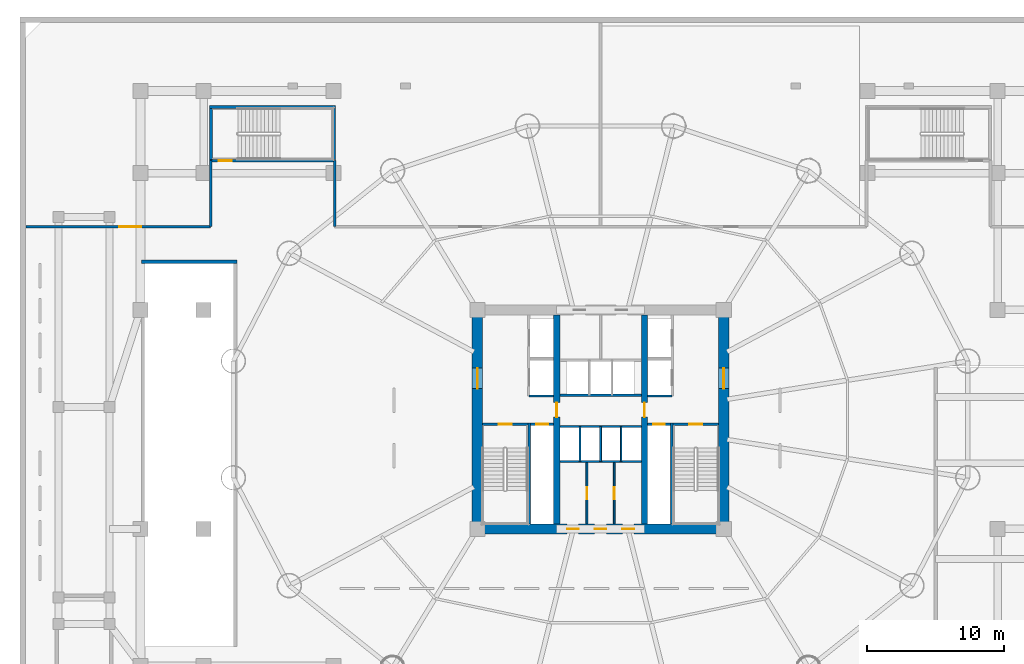
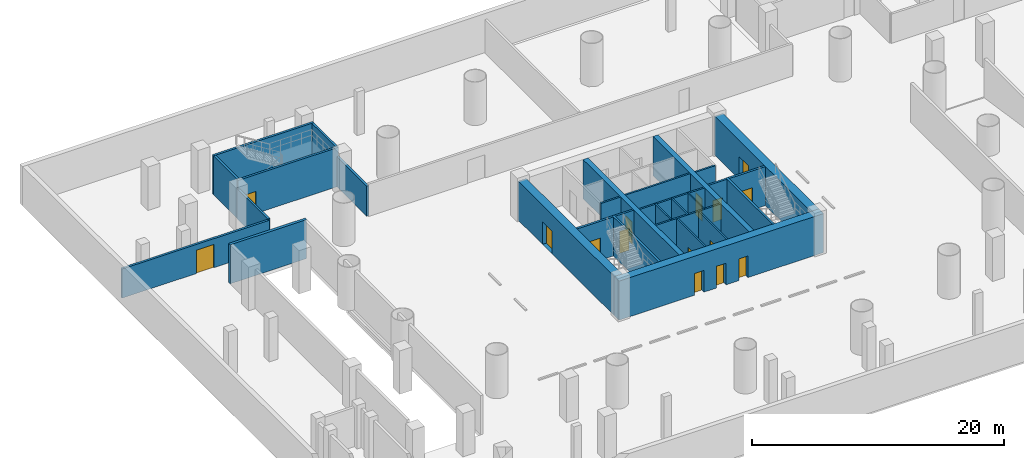
# One storey, part 4 of 11: 29 walls, 15 doors, 15 openings.
"""IFC4 building model written with IfcOpenShell, lengths in metres."""

from ifc_helpers import new_model, si_unit, direction, frame, frame_2d, origin, place, context, subcontext, project, spatial, rectangle, extrude, source, transform, mapped, material, layer, layer_set, type_object, element, fill, save


model = new_model("IFC4")

# Units and contexts
model_context = context("Model", 3, precision=1e-05, world=origin(), true_north=direction((-0.2419218956, 0.970295726276)))
body_context = subcontext(model_context, "Body", "Model", "MODEL_VIEW")
ifc_project = project(units=[si_unit("LENGTHUNIT", "METRE"), si_unit("AREAUNIT", "SQUARE_METRE"), si_unit("VOLUMEUNIT", "CUBIC_METRE"), si_unit("PLANEANGLEUNIT", "RADIAN"), si_unit("MASSUNIT", "GRAM", prefix="KILO")], contexts=[model_context])

# Site, building, storey
site_placement = place(None, origin())
site = spatial("IfcSite", under=ifc_project, at=site_placement, CompositionType="ELEMENT")
building_placement = place(site_placement, origin())
building = spatial("IfcBuilding", under=site, at=building_placement, Name="Cobrevalo Terracotta Tower", CompositionType="ELEMENT")
storey_placement = place(building_placement, frame((0.0, 0.0, -4.199951171875)))
storey = spatial("IfcBuildingStorey", under=building, at=storey_placement, Name="B01", CompositionType="ELEMENT", Elevation=-4.199951171875)

# Wall, openings, doors
ifc_material_1 = material(Name="Concrete C60", Category="concrete")
ifc_layer_1 = layer(ifc_material_1, 0.75)
ifc_layer_set_1 = layer_set([ifc_layer_1], Name="Concrete C60")
wall_type_1 = type_object("IfcWallType", Name="Core shear wall 750 mm Concrete C60", PredefinedType="SHEAR", material=ifc_layer_set_1)
wall_1_placement = place(storey_placement, frame((28.625, 18.800048828125, 0.0), z_axis=(0.0, 0.0, 1.0), x_axis=(1.0, 0.0, 0.0)))
wall_1 = element("IfcWall", 1, at=wall_1_placement, inside=storey, type_object=wall_type_1, Name="B01 south core shear wall", PredefinedType="SHEAR", context=body_context, shape_type="SweptSolid", body=[
    extrude(rectangle(XDim=18.75, YDim=0.75, at=frame_2d((9.375, 0.0))), origin(), (0.0, 0.0, 1.0), 3.780029296875),
])
opening_1_placement = place(wall_1_placement, frame((6.927490234375, 0.0, 0.0)))
opening_1 = element("IfcOpeningElement", 2, at=opening_1_placement, cuts=wall_1, Name="Opening ID-22", PredefinedType="OPENING", context=body_context, shape_type="SweptSolid", body=[
    extrude(rectangle(XDim=0.85009765625, YDim=2.10009765625, at=frame_2d((0.425048828125, 1.050048828125))), frame((0.0, 0.385009765625, 0.0), z_axis=(0.0, -1.0, 0.0), x_axis=(1.0, 0.0, 0.0)), (0.0, 0.0, 1.0), 0.77001953125),
])
opening_2_placement = place(wall_1_placement, frame((8.949951171875, 0.0, 0.0)))
opening_2 = element("IfcOpeningElement", 3, at=opening_2_placement, cuts=wall_1, Name="Opening ID-22", PredefinedType="OPENING", context=body_context, shape_type="SweptSolid", body=[
    extrude(rectangle(XDim=0.85009765625, YDim=2.10009765625, at=frame_2d((0.425048828125, 1.050048828125))), frame((0.0, 0.385009765625, 0.0), z_axis=(0.0, -1.0, 0.0), x_axis=(1.0, 0.0, 0.0)), (0.0, 0.0, 1.0), 0.77001953125),
])
opening_3_placement = place(wall_1_placement, frame((10.972412109375, 0.0, 0.0)))
opening_3 = element("IfcOpeningElement", 4, at=opening_3_placement, cuts=wall_1, Name="Opening ID-22", PredefinedType="OPENING", context=body_context, shape_type="SweptSolid", body=[
    extrude(rectangle(XDim=0.85009765625, YDim=2.10009765625, at=frame_2d((0.425048828125, 1.050048828125))), frame((0.0, 0.385009765625, 0.0), z_axis=(0.0, -1.0, 0.0), x_axis=(1.0, 0.0, 0.0)), (0.0, 0.0, 1.0), 0.77001953125),
])
ifc_material_2 = material(Name="Powder-coated steel", Category="steel")
door_type_1 = type_object("IfcDoorType", Name="Riser shaft & meter closet fire access door 850x2100 EI 60", OperationType="NOTDEFINED", PredefinedType="DOOR", material=ifc_material_2)
shared_shape_1 = source(origin(), body_context, "Body", "SweptSolid", [
    extrude(rectangle(XDim=0.85009765625, YDim=2.10009765625, at=frame_2d((0.425048828125, 1.050048828125))), frame((0.0, 0.02490234375, 0.0), z_axis=(0.0, -1.0, 0.0), x_axis=(1.0, 0.0, 0.0)), (0.0, 0.0, 1.0), 0.050048828125),
])
door_1_placement = place(opening_1_placement, origin())
door_1 = element("IfcDoor", 5, at=door_1_placement, inside=storey, type_object=door_type_1, Name="B01 core south plant door HVAC Supply Air Plant", OperationType="SINGLE_SWING_RIGHT", OverallHeight=2.10009765625, OverallWidth=0.85009765625, PredefinedType="DOOR", context=body_context, shape_type="MappedRepresentation", body=[
    mapped(shared_shape_1, transform((0.0, 0.0, 0.0), scale=1.0)),
])
fill(opening_1, door_1)
door_2_placement = place(opening_2_placement, origin())
door_2 = element("IfcDoor", 6, at=door_2_placement, inside=storey, type_object=door_type_1, Name="B01 core south plant door Refuse Chute Store Room", OperationType="SINGLE_SWING_RIGHT", OverallHeight=2.10009765625, OverallWidth=0.85009765625, PredefinedType="DOOR", context=body_context, shape_type="MappedRepresentation", body=[
    mapped(shared_shape_1, transform((0.0, 0.0, 0.0), scale=1.0)),
])
fill(opening_2, door_2)
door_3_placement = place(opening_3_placement, origin())
door_3 = element("IfcDoor", 7, at=door_3_placement, inside=storey, type_object=door_type_1, Name="B01 core south plant door Hydronic Pump Manifold Plant", OperationType="SINGLE_SWING_RIGHT", OverallHeight=2.10009765625, OverallWidth=0.85009765625, PredefinedType="DOOR", context=body_context, shape_type="MappedRepresentation", body=[
    mapped(shared_shape_1, transform((0.0, 0.0, 0.0), scale=1.0)),
])
fill(opening_3, door_3)

# Wall, opening, door
wall_2_placement = place(storey_placement, frame((29.0, 19.175048828125, 0.0), z_axis=(0.0, 0.0, 1.0), x_axis=(0.0, 1.0, 0.0)))
wall_2 = element("IfcWall", 8, at=wall_2_placement, inside=storey, type_object=wall_type_1, Name="B01 west core shear wall", PredefinedType="SHEAR", context=body_context, shape_type="SweptSolid", body=[
    extrude(rectangle(XDim=15.25, YDim=0.75, at=frame_2d((7.625, 0.0))), origin(), (0.0, 0.0, 1.0), 3.780029296875),
])
opening_4_placement = place(wall_2_placement, frame((9.875, 0.0, 0.0)))
opening_4 = element("IfcOpeningElement", 9, at=opening_4_placement, cuts=wall_2, Name="Opening ID-14", PredefinedType="OPENING", context=body_context, shape_type="SweptSolid", body=[
    extrude(rectangle(XDim=1.5, YDim=2.199951171875, at=frame_2d((0.75, 1.10009765625))), frame((0.0, 0.385009765625, 0.0), z_axis=(0.0, -1.0, 0.0), x_axis=(1.0, 0.0, 0.0)), (0.0, 0.0, 1.0), 0.77001953125),
])
ifc_material_3 = material(Name="Galvanized fire-rated steel", Category="steel")
door_type_2 = type_object("IfcDoorType", Name="Core cross-lobby double fire door 1500x2200 EI 90", OperationType="NOTDEFINED", PredefinedType="DOOR", material=ifc_material_3)
shared_shape_2 = source(origin(), body_context, "Body", "SweptSolid", [
    extrude(rectangle(XDim=1.5, YDim=2.199951171875, at=frame_2d((0.75, 1.10009765625))), frame((0.0, 0.02490234375, 0.0), z_axis=(0.0, -1.0, 0.0), x_axis=(1.0, 0.0, 0.0)), (0.0, 0.0, 1.0), 0.050048828125),
])
door_4_placement = place(opening_4_placement, origin())
door_4 = element("IfcDoor", 10, at=door_4_placement, inside=storey, type_object=door_type_2, Name="B01 west firefighting lobby entrance door", OperationType="DOUBLE_DOOR_SINGLE_SWING", OverallHeight=2.199951171875, OverallWidth=1.5, PredefinedType="DOOR", context=body_context, shape_type="MappedRepresentation", body=[
    mapped(shared_shape_2, transform((0.0, 0.0, 0.0), scale=1.0)),
])
fill(opening_4, door_4)

wall_3_placement = place(storey_placement, frame((47.0, 19.175048828125, 0.0), z_axis=(0.0, 0.0, 1.0), x_axis=(0.0, 1.0, 0.0)))
wall_3 = element("IfcWall", 11, at=wall_3_placement, inside=storey, type_object=wall_type_1, Name="B01 east core shear wall", PredefinedType="SHEAR", context=body_context, shape_type="SweptSolid", body=[
    extrude(rectangle(XDim=15.25, YDim=0.75, at=frame_2d((7.625, 0.0))), origin(), (0.0, 0.0, 1.0), 3.780029296875),
])
opening_5_placement = place(wall_3_placement, frame((9.875, 0.0, 0.0)))
opening_5 = element("IfcOpeningElement", 12, at=opening_5_placement, cuts=wall_3, Name="Opening ID-14", PredefinedType="OPENING", context=body_context, shape_type="SweptSolid", body=[
    extrude(rectangle(XDim=1.5, YDim=2.199951171875, at=frame_2d((0.75, 1.10009765625))), frame((0.0, 0.385009765625, 0.0), z_axis=(0.0, -1.0, 0.0), x_axis=(1.0, 0.0, 0.0)), (0.0, 0.0, 1.0), 0.77001953125),
])
door_5_placement = place(opening_5_placement, frame((1.5, 0.0, 0.0), z_axis=(0.0, 0.0, 1.0), x_axis=(-1.0, 0.0, 0.0)))
door_5 = element("IfcDoor", 13, at=door_5_placement, inside=storey, type_object=door_type_2, Name="B01 east firefighting lobby entrance door", OperationType="DOUBLE_DOOR_SINGLE_SWING", OverallHeight=2.199951171875, OverallWidth=1.5, PredefinedType="DOOR", context=body_context, shape_type="MappedRepresentation", body=[
    mapped(shared_shape_2, transform((0.0, 0.0, 0.0), scale=1.0)),
])
fill(opening_5, door_5)

# Walls
ifc_material_4 = material(Name="Gypsum board on steel stud", Category="steel")
ifc_layer_2 = layer(ifc_material_4, 0.159912109375)
ifc_layer_set_2 = layer_set([ifc_layer_2], Name="Gypsum board on steel stud")
wall_type_2 = type_object("IfcWallType", Name="Fire-rated corridor acoustic partition wall 160 mm", PredefinedType="PARTITIONING", material=ifc_layer_set_2)
for number, where, z_axis, x_axis, name in (
    (14, (32.77001953125, 28.52001953125, 0.0), (0.0, 0.0, 1.0), (1.0, 0.0, 0.0), "B01 interior partition IW-B01-FF1-S"),
    (15, (41.425048828125, 28.52001953125, 0.0), (0.0, 0.0, 1.0), (1.0, 0.0, 0.0), "B01 interior partition IW-B01-FF2-S"),
):
    element("IfcWall", number, at=place(storey_placement, frame(where, z_axis=z_axis, x_axis=x_axis)), inside=storey, type_object=wall_type_2, Name=name, PredefinedType="PARTITIONING", context=body_context, shape_type="SweptSolid", body=[
        extrude(rectangle(XDim=1.804931640625, YDim=0.159912109375, at=frame_2d((0.90234375, 0.0))), origin(), (0.0, 0.0, 1.0), 3.780029296875),
    ])
for number, where, z_axis, x_axis, name in (
    (16, (35.02490234375, 28.56005859375, 0.0), (0.0, 0.0, 1.0), (1.0, 0.0, 0.0), "B01 interior partition IW-B01-LB-S"),
    (17, (35.02490234375, 26.280029296875, 0.0), (0.0, 0.0, 1.0), (1.0, 0.0, 0.0), "B01 interior partition IW-B01-MB-N"),
    (18, (35.02490234375, 23.719970703125, 0.0), (0.0, 0.0, 1.0), (1.0, 0.0, 0.0), "B01 interior partition IW-B01-MB-S"),
):
    element("IfcWall", number, at=place(storey_placement, frame(where, z_axis=z_axis, x_axis=x_axis)), inside=storey, type_object=wall_type_2, Name=name, PredefinedType="PARTITIONING", context=body_context, shape_type="SweptSolid", body=[
        extrude(rectangle(XDim=5.9501953125, YDim=0.159912109375, at=frame_2d((2.97509765625, 0.0))), origin(), (0.0, 0.0, 1.0), 3.780029296875),
    ])

# Wall, opening, door
ifc_layer_3 = layer(ifc_material_4, 0.179931640625)
ifc_layer_set_3 = layer_set([ifc_layer_3], Name="Gypsum board on steel stud")
wall_type_3 = type_object("IfcWallType", Name="Fire-rated shaft & lobby acoustic partition wall 180 mm", PredefinedType="PARTITIONING", material=ifc_layer_set_3)
wall_4_placement = place(storey_placement, frame((32.89990234375, 26.449951171875, 0.0), z_axis=(0.0, 0.0, 1.0), x_axis=(1.0, 0.0, 0.0)))
wall_4 = element("IfcWall", 19, at=wall_4_placement, inside=storey, type_object=wall_type_3, Name="B01 interior partition IW-B01-RSW-N", PredefinedType="PARTITIONING", context=body_context, shape_type="SweptSolid", body=[
    extrude(rectangle(XDim=1.675048828125, YDim=0.179931640625, at=frame_2d((0.83740234375, 0.0))), origin(), (0.0, 0.0, 1.0), 3.780029296875),
])
opening_6_placement = place(wall_4_placement, frame((0.41259765625, 0.0, 0.0)))
opening_6 = element("IfcOpeningElement", 20, at=opening_6_placement, cuts=wall_4, Name="Opening ID-22", PredefinedType="OPENING", context=body_context, shape_type="SweptSolid", body=[
    extrude(rectangle(XDim=0.85009765625, YDim=2.10009765625, at=frame_2d((0.425048828125, 1.050048828125))), frame((0.0, 0.10009765625, 0.0), z_axis=(0.0, -1.0, 0.0), x_axis=(1.0, 0.0, 0.0)), (0.0, 0.0, 1.0), 0.199951171875),
])
door_6_placement = place(opening_6_placement, origin())
door_6 = element("IfcDoor", 21, at=door_6_placement, inside=storey, type_object=door_type_1, Name="B01 riser access door RSW", OperationType="SINGLE_SWING_LEFT", OverallHeight=2.10009765625, OverallWidth=0.85009765625, PredefinedType="DOOR", context=body_context, shape_type="MappedRepresentation", body=[
    mapped(shared_shape_1, transform((0.0, 0.0, 0.0), scale=1.0)),
])
fill(opening_6, door_6)

wall_5_placement = place(storey_placement, frame((41.425048828125, 26.449951171875, 0.0), z_axis=(0.0, 0.0, 1.0), x_axis=(1.0, 0.0, 0.0)))
wall_5 = element("IfcWall", 22, at=wall_5_placement, inside=storey, type_object=wall_type_3, Name="B01 interior partition IW-B01-RSE-N", PredefinedType="PARTITIONING", context=body_context, shape_type="SweptSolid", body=[
    extrude(rectangle(XDim=1.675048828125, YDim=0.179931640625, at=frame_2d((0.83740234375, 0.0))), origin(), (0.0, 0.0, 1.0), 3.780029296875),
])
opening_7_placement = place(wall_5_placement, frame((0.41259765625, 0.0, 0.0)))
opening_7 = element("IfcOpeningElement", 23, at=opening_7_placement, cuts=wall_5, Name="Opening ID-22", PredefinedType="OPENING", context=body_context, shape_type="SweptSolid", body=[
    extrude(rectangle(XDim=0.85009765625, YDim=2.10009765625, at=frame_2d((0.425048828125, 1.050048828125))), frame((0.0, 0.10009765625, 0.0), z_axis=(0.0, -1.0, 0.0), x_axis=(1.0, 0.0, 0.0)), (0.0, 0.0, 1.0), 0.199951171875),
])
door_7_placement = place(opening_7_placement, origin())
door_7 = element("IfcDoor", 24, at=door_7_placement, inside=storey, type_object=door_type_1, Name="B01 riser access door RSE", OperationType="SINGLE_SWING_RIGHT", OverallHeight=2.10009765625, OverallWidth=0.85009765625, PredefinedType="DOOR", context=body_context, shape_type="MappedRepresentation", body=[
    mapped(shared_shape_1, transform((0.0, 0.0, 0.0), scale=1.0)),
])
fill(opening_7, door_7)

ifc_material_5 = material(Name="Autoclaved aerated concrete block", Category="concrete")
ifc_layer_4 = layer(ifc_material_5, 0.199951171875)
ifc_layer_set_4 = layer_set([ifc_layer_4], Name="Autoclaved aerated concrete block")
wall_type_4 = type_object("IfcWallType", Name="Fire-rated stair, shaft & demising masonry wall 200 mm", PredefinedType="PARTITIONING", material=ifc_layer_set_4)
wall_6_placement = place(storey_placement, frame((-3.969970703125, 40.8798828125, 0.0), z_axis=(0.0, 0.0, 1.0), x_axis=(1.0, 0.0, 0.0)))
wall_6 = element("IfcWall", 25, at=wall_6_placement, inside=storey, type_object=wall_type_4, Name="B01 interior partition IW-B01-BN-1", PredefinedType="PARTITIONING", context=body_context, shape_type="SweptSolid", body=[
    extrude(rectangle(XDim=13.489990234375, YDim=0.199951171875, at=frame_2d((6.7451171875, 0.0))), origin(), (0.0, 0.0, 1.0), 2.81494140625),
])
opening_8_placement = place(wall_6_placement, frame((6.80029296875, 0.0, 0.0)))
opening_8 = element("IfcOpeningElement", 26, at=opening_8_placement, cuts=wall_6, Name="Opening ID-06", PredefinedType="OPENING", context=body_context, shape_type="SweptSolid", body=[
    extrude(rectangle(XDim=1.60009765625, YDim=2.25, at=frame_2d((0.800048828125, 1.125))), frame((0.0, 0.10986328125, 0.0), z_axis=(0.0, -1.0, 0.0), x_axis=(1.0, 0.0, 0.0)), (0.0, 0.0, 1.0), 0.219970703125),
])
door_type_3 = type_object("IfcDoorType", Name="Plant & mechanical room double fire door 1600x2250 EI 90", OperationType="NOTDEFINED", PredefinedType="DOOR", material=ifc_material_3)
shared_shape_3 = source(origin(), body_context, "Body", "SweptSolid", [
    extrude(rectangle(XDim=1.60009765625, YDim=2.25, at=frame_2d((0.800048828125, 1.125))), frame((0.0, 0.02490234375, 0.0), z_axis=(0.0, -1.0, 0.0), x_axis=(1.0, 0.0, 0.0)), (0.0, 0.0, 1.0), 0.050048828125),
])
door_8_placement = place(opening_8_placement, origin())
door_8 = element("IfcDoor", 27, at=door_8_placement, inside=storey, type_object=door_type_3, Name="Primary Electrical Substation Plant door", OperationType="DOUBLE_DOOR_SINGLE_SWING", OverallHeight=2.25, OverallWidth=1.60009765625, PredefinedType="DOOR", context=body_context, shape_type="MappedRepresentation", body=[
    mapped(shared_shape_3, transform((0.0, 0.0, 0.0), scale=1.0)),
])
fill(opening_8, door_8)

# Walls
for number, where, z_axis, x_axis, name in (
    (28, (9.52001953125, 40.8798828125, 0.0), (0.0, 0.0, 1.0), (0.0, 1.0, 0.0), "B01 interior partition IW-B01-BN-1W"),
    (29, (18.580078125, 40.8798828125, 0.0), (0.0, 0.0, 1.0), (0.0, 1.0, 0.0), "B01 interior partition IW-B01-BN-2W"),
):
    element("IfcWall", number, at=place(storey_placement, frame(where, z_axis=z_axis, x_axis=x_axis)), inside=storey, type_object=wall_type_4, Name=name, PredefinedType="PARTITIONING", context=body_context, shape_type="SweptSolid", body=[
        extrude(rectangle(XDim=4.840087890625, YDim=0.199951171875, at=frame_2d((2.419921875, 0.0))), origin(), (0.0, 0.0, 1.0), 2.9150390625),
    ])
ifc_layer_5 = layer(ifc_material_5, 0.1201171875)
ifc_layer_set_5 = layer_set([ifc_layer_5], Name="Autoclaved aerated concrete block")
wall_type_5 = type_object("IfcWallType", Name="Fire-rated wet-room & core service partition 120 mm", PredefinedType="PARTITIONING", material=ifc_layer_set_5)
for number, where, z_axis, x_axis, name in (
    (30, (36.5, 23.719970703125, 0.0), (0.0, 0.0, 1.0), (0.0, 1.0, 0.0), "B01 interior partition IW-B01-MB-D1"),
    (31, (39.5, 23.719970703125, 0.0), (0.0, 0.0, 1.0), (0.0, 1.0, 0.0), "B01 interior partition IW-B01-MB-D3"),
):
    element("IfcWall", number, at=place(storey_placement, frame(where, z_axis=z_axis, x_axis=x_axis)), inside=storey, type_object=wall_type_5, Name=name, PredefinedType="PARTITIONING", context=body_context, shape_type="SweptSolid", body=[
        extrude(rectangle(XDim=2.56005859375, YDim=0.1201171875, at=frame_2d((1.280029296875, 0.0))), origin(), (0.0, 0.0, 1.0), 3.780029296875),
    ])

# Wall, opening, door
ifc_material_6 = material(Name="Concrete C55", Category="concrete")
ifc_layer_6 = layer(ifc_material_6, 0.449951171875)
ifc_layer_set_6 = layer_set([ifc_layer_6], Name="Concrete C55")
wall_type_6 = type_object("IfcWallType", Name="Internal core shear web wall 450 mm Concrete C55", PredefinedType="SHEAR", material=ifc_layer_set_6)
wall_7_placement = place(storey_placement, frame((34.800048828125, 19.175048828125, 0.0), z_axis=(0.0, 0.0, 1.0), x_axis=(0.0, 1.0, 0.0)))
wall_7 = element("IfcWall", 32, at=wall_7_placement, inside=storey, type_object=wall_type_6, Name="B01 internal core shear wall WEB-W", PredefinedType="SHEAR", context=body_context, shape_type="SweptSolid", body=[
    extrude(rectangle(XDim=15.25, YDim=0.449951171875, at=frame_2d((7.625, 0.0))), origin(), (0.0, 0.0, 1.0), 3.780029296875),
])
opening_9_placement = place(wall_7_placement, frame((7.800048828125, 0.0, 0.0)))
opening_9 = element("IfcOpeningElement", 33, at=opening_9_placement, cuts=wall_7, Name="Opening ID-11", PredefinedType="OPENING", context=body_context, shape_type="SweptSolid", body=[
    extrude(rectangle(XDim=1.050048828125, YDim=2.14990234375, at=frame_2d((0.52490234375, 1.074951171875))), frame((0.0, 0.23486328125, 0.0), z_axis=(0.0, -1.0, 0.0), x_axis=(1.0, 0.0, 0.0)), (0.0, 0.0, 1.0), 0.469970703125),
])
door_type_4 = type_object("IfcDoorType", Name="Core concourse cross fire door 1050x2150 EI 90", OperationType="NOTDEFINED", PredefinedType="DOOR", material=ifc_material_3)
shared_shape_4 = source(origin(), body_context, "Body", "SweptSolid", [
    extrude(rectangle(XDim=1.050048828125, YDim=2.14990234375, at=frame_2d((0.52490234375, 1.074951171875))), frame((0.0, 0.02490234375, 0.0), z_axis=(0.0, -1.0, 0.0), x_axis=(1.0, 0.0, 0.0)), (0.0, 0.0, 1.0), 0.050048828125),
])
door_9_placement = place(opening_9_placement, origin())
door_9 = element("IfcDoor", 34, at=door_9_placement, inside=storey, type_object=door_type_4, Name="B01 west core concourse cross door", OperationType="SINGLE_SWING_LEFT", OverallHeight=2.14990234375, OverallWidth=1.050048828125, PredefinedType="DOOR", context=body_context, shape_type="MappedRepresentation", body=[
    mapped(shared_shape_4, transform((0.0, 0.0, 0.0), scale=1.0)),
])
fill(opening_9, door_9)

wall_8_placement = place(storey_placement, frame((41.199951171875, 19.175048828125, 0.0), z_axis=(0.0, 0.0, 1.0), x_axis=(0.0, 1.0, 0.0)))
wall_8 = element("IfcWall", 35, at=wall_8_placement, inside=storey, type_object=wall_type_6, Name="B01 internal core shear wall WEB-E", PredefinedType="SHEAR", context=body_context, shape_type="SweptSolid", body=[
    extrude(rectangle(XDim=15.25, YDim=0.449951171875, at=frame_2d((7.625, 0.0))), origin(), (0.0, 0.0, 1.0), 3.780029296875),
])
opening_10_placement = place(wall_8_placement, frame((7.800048828125, 0.0, 0.0)))
opening_10 = element("IfcOpeningElement", 36, at=opening_10_placement, cuts=wall_8, Name="Opening ID-11", PredefinedType="OPENING", context=body_context, shape_type="SweptSolid", body=[
    extrude(rectangle(XDim=1.050048828125, YDim=2.14990234375, at=frame_2d((0.52490234375, 1.074951171875))), frame((0.0, 0.23486328125, 0.0), z_axis=(0.0, -1.0, 0.0), x_axis=(1.0, 0.0, 0.0)), (0.0, 0.0, 1.0), 0.469970703125),
])
door_10_placement = place(opening_10_placement, frame((1.050048828125, 0.0, 0.0), z_axis=(0.0, 0.0, 1.0), x_axis=(-1.0, 0.0, 0.0)))
door_10 = element("IfcDoor", 37, at=door_10_placement, inside=storey, type_object=door_type_4, Name="B01 east core concourse cross door", OperationType="SINGLE_SWING_RIGHT", OverallHeight=2.14990234375, OverallWidth=1.050048828125, PredefinedType="DOOR", context=body_context, shape_type="MappedRepresentation", body=[
    mapped(shared_shape_4, transform((0.0, 0.0, 0.0), scale=1.0)),
])
fill(opening_10, door_10)

# Wall
ifc_layer_7 = layer(ifc_material_5, 0.139892578125)
ifc_layer_set_7 = layer_set([ifc_layer_7], Name="Autoclaved aerated concrete block")
wall_type_7 = type_object("IfcWallType", Name="Moisture-resistant wet-room & core service partition 140 mm", PredefinedType="PARTITIONING", material=ifc_layer_set_7)
wall_9_placement = place(storey_placement, frame((38.0, 23.719970703125, 0.0), z_axis=(0.0, 0.0, 1.0), x_axis=(0.0, 1.0, 0.0)))
element("IfcWall", 38, at=wall_9_placement, inside=storey, type_object=wall_type_7, Name="B01 interior partition IW-B01-MB-D2", PredefinedType="PARTITIONING", context=body_context, shape_type="SweptSolid", body=[
    extrude(rectangle(XDim=2.56005859375, YDim=0.139892578125, at=frame_2d((1.280029296875, 0.0))), origin(), (0.0, 0.0, 1.0), 3.780029296875),
])

# Wall, opening, door
wall_10_placement = place(storey_placement, frame((37.0, 19.175048828125, 0.0), z_axis=(0.0, 0.0, 1.0), x_axis=(0.0, 1.0, 0.0)))
wall_10 = element("IfcWall", 39, at=wall_10_placement, inside=storey, type_object=wall_type_7, Name="B01 interior partition IW-B01-KVS-V1", PredefinedType="PARTITIONING", context=body_context, shape_type="SweptSolid", body=[
    extrude(rectangle(XDim=4.46484375, YDim=0.139892578125, at=frame_2d((2.232421875, 0.0))), origin(), (0.0, 0.0, 1.0), 3.780029296875),
])
opening_11_placement = place(wall_10_placement, frame((1.8076171875, 0.0, 0.0)))
opening_11 = element("IfcOpeningElement", 40, at=opening_11_placement, cuts=wall_10, Name="Opening ID-22", PredefinedType="OPENING", context=body_context, shape_type="SweptSolid", body=[
    extrude(rectangle(XDim=0.85009765625, YDim=2.10009765625, at=frame_2d((0.425048828125, 1.050048828125))), frame((0.0, 0.080078125, 0.0), z_axis=(0.0, -1.0, 0.0), x_axis=(1.0, 0.0, 0.0)), (0.0, 0.0, 1.0), 0.159912109375),
])
door_11_placement = place(opening_11_placement, origin())
door_11 = element("IfcDoor", 41, at=door_11_placement, inside=storey, type_object=door_type_1, Name="B01 core KVS-V1 inner door", OperationType="SINGLE_SWING_LEFT", OverallHeight=2.10009765625, OverallWidth=0.85009765625, PredefinedType="DOOR", context=body_context, shape_type="MappedRepresentation", body=[
    mapped(shared_shape_1, transform((0.0, 0.0, 0.0), scale=1.0)),
])
fill(opening_11, door_11)

wall_11_placement = place(storey_placement, frame((39.0, 19.175048828125, 0.0), z_axis=(0.0, 0.0, 1.0), x_axis=(0.0, 1.0, 0.0)))
wall_11 = element("IfcWall", 42, at=wall_11_placement, inside=storey, type_object=wall_type_7, Name="B01 interior partition IW-B01-KVS-V2", PredefinedType="PARTITIONING", context=body_context, shape_type="SweptSolid", body=[
    extrude(rectangle(XDim=4.46484375, YDim=0.139892578125, at=frame_2d((2.232421875, 0.0))), origin(), (0.0, 0.0, 1.0), 3.780029296875),
])
opening_12_placement = place(wall_11_placement, frame((1.8076171875, 0.0, 0.0)))
opening_12 = element("IfcOpeningElement", 43, at=opening_12_placement, cuts=wall_11, Name="Opening ID-22", PredefinedType="OPENING", context=body_context, shape_type="SweptSolid", body=[
    extrude(rectangle(XDim=0.85009765625, YDim=2.10009765625, at=frame_2d((0.425048828125, 1.050048828125))), frame((0.0, 0.080078125, 0.0), z_axis=(0.0, -1.0, 0.0), x_axis=(1.0, 0.0, 0.0)), (0.0, 0.0, 1.0), 0.159912109375),
])
door_12_placement = place(opening_12_placement, origin())
door_12 = element("IfcDoor", 44, at=door_12_placement, inside=storey, type_object=door_type_1, Name="B01 core KVS-V2 inner door", OperationType="SINGLE_SWING_LEFT", OverallHeight=2.10009765625, OverallWidth=0.85009765625, PredefinedType="DOOR", context=body_context, shape_type="MappedRepresentation", body=[
    mapped(shared_shape_1, transform((0.0, 0.0, 0.0), scale=1.0)),
])
fill(opening_12, door_12)

# Wall
ifc_material_7 = material(Name="Concrete C50", Category="concrete")
ifc_layer_8 = layer(ifc_material_7, 0.199951171875)
ifc_layer_set_8 = layer_set([ifc_layer_8], Name="Concrete C50")
wall_type_8 = type_object("IfcWallType", Name="Structural core & podium stair-shaft RC wall 200 mm Concrete C50", PredefinedType="SOLIDWALL", material=ifc_layer_set_8)
wall_12_placement = place(storey_placement, frame((32.794921875, 19.175048828125, 0.0), z_axis=(0.0, 0.0, 1.0), x_axis=(0.0, 1.0, 0.0)))
element("IfcWall", 45, at=wall_12_placement, inside=storey, type_object=wall_type_8, Name="B01 ST-1 east structural shaft wall", PredefinedType="SOLIDWALL", context=body_context, shape_type="SweptSolid", body=[
    extrude(rectangle(XDim=7.375, YDim=0.199951171875, at=frame_2d((3.6875, 0.0))), origin(), (0.0, 0.0, 1.0), 3.780029296875),
])

# Wall, opening, door
wall_13_placement = place(storey_placement, frame((29.375, 26.449951171875, 0.0), z_axis=(0.0, 0.0, 1.0), x_axis=(1.0, 0.0, 0.0)))
wall_13 = element("IfcWall", 46, at=wall_13_placement, inside=storey, type_object=wall_type_8, Name="B01 ST-1 north structural shaft wall", PredefinedType="SOLIDWALL", context=body_context, shape_type="SweptSolid", body=[
    extrude(rectangle(XDim=3.320068359375, YDim=0.199951171875, at=frame_2d((1.66015625, 0.0))), origin(), (0.0, 0.0, 1.0), 3.780029296875),
])
opening_13_placement = place(wall_13_placement, frame((1.18505859375, 0.0, 0.0)))
opening_13 = element("IfcOpeningElement", 47, at=opening_13_placement, cuts=wall_13, Name="Opening ID-04", PredefinedType="OPENING", context=body_context, shape_type="SweptSolid", body=[
    extrude(rectangle(XDim=0.949951171875, YDim=2.14990234375, at=frame_2d((0.47509765625, 1.074951171875))), frame((0.0, 0.10986328125, 0.0), z_axis=(0.0, -1.0, 0.0), x_axis=(1.0, 0.0, 0.0)), (0.0, 0.0, 1.0), 0.219970703125),
])
door_type_5 = type_object("IfcDoorType", Name="Stair & firefighting lobby fire door 950x2150 EI 90", OperationType="NOTDEFINED", PredefinedType="DOOR", material=ifc_material_3)
shared_shape_5 = source(origin(), body_context, "Body", "SweptSolid", [
    extrude(rectangle(XDim=0.949951171875, YDim=2.14990234375, at=frame_2d((0.47509765625, 1.074951171875))), frame((0.0, 0.02490234375, 0.0), z_axis=(0.0, -1.0, 0.0), x_axis=(1.0, 0.0, 0.0)), (0.0, 0.0, 1.0), 0.050048828125),
])
door_13_placement = place(opening_13_placement, origin())
door_13 = element("IfcDoor", 48, at=door_13_placement, inside=storey, type_object=door_type_5, Name="B01 protected stair ST1 fire door", OperationType="SINGLE_SWING_LEFT", OverallHeight=2.14990234375, OverallWidth=0.949951171875, PredefinedType="DOOR", context=body_context, shape_type="MappedRepresentation", body=[
    mapped(shared_shape_5, transform((0.0, 0.0, 0.0), scale=1.0)),
])
fill(opening_13, door_13)

# Wall
wall_14_placement = place(storey_placement, frame((43.205078125, 19.175048828125, 0.0), z_axis=(0.0, 0.0, 1.0), x_axis=(0.0, 1.0, 0.0)))
element("IfcWall", 49, at=wall_14_placement, inside=storey, type_object=wall_type_8, Name="B01 ST-2 west structural shaft wall", PredefinedType="SOLIDWALL", context=body_context, shape_type="SweptSolid", body=[
    extrude(rectangle(XDim=7.375, YDim=0.199951171875, at=frame_2d((3.6875, 0.0))), origin(), (0.0, 0.0, 1.0), 3.780029296875),
])

# Wall, opening, door
wall_15_placement = place(storey_placement, frame((43.304931640625, 26.449951171875, 0.0), z_axis=(0.0, 0.0, 1.0), x_axis=(1.0, 0.0, 0.0)))
wall_15 = element("IfcWall", 50, at=wall_15_placement, inside=storey, type_object=wall_type_8, Name="B01 ST-2 north structural shaft wall", PredefinedType="SOLIDWALL", context=body_context, shape_type="SweptSolid", body=[
    extrude(rectangle(XDim=3.320068359375, YDim=0.199951171875, at=frame_2d((1.66015625, 0.0))), origin(), (0.0, 0.0, 1.0), 3.780029296875),
])
opening_14_placement = place(wall_15_placement, frame((1.18505859375, 0.0, 0.0)))
opening_14 = element("IfcOpeningElement", 51, at=opening_14_placement, cuts=wall_15, Name="Opening ID-04", PredefinedType="OPENING", context=body_context, shape_type="SweptSolid", body=[
    extrude(rectangle(XDim=0.949951171875, YDim=2.14990234375, at=frame_2d((0.47509765625, 1.074951171875))), frame((0.0, 0.10986328125, 0.0), z_axis=(0.0, -1.0, 0.0), x_axis=(1.0, 0.0, 0.0)), (0.0, 0.0, 1.0), 0.219970703125),
])
door_14_placement = place(opening_14_placement, frame((0.949951171875, 0.0, 0.0), z_axis=(0.0, 0.0, 1.0), x_axis=(-1.0, 0.0, 0.0)))
door_14 = element("IfcDoor", 52, at=door_14_placement, inside=storey, type_object=door_type_5, Name="B01 protected stair ST2 fire door", OperationType="SINGLE_SWING_RIGHT", OverallHeight=2.14990234375, OverallWidth=0.949951171875, PredefinedType="DOOR", context=body_context, shape_type="MappedRepresentation", body=[
    mapped(shared_shape_5, transform((0.0, 0.0, 0.0), scale=1.0)),
])
fill(opening_14, door_14)

wall_16_placement = place(storey_placement, frame((9.449951171875, 45.699951171875, 0.0), z_axis=(0.0, 0.0, 1.0), x_axis=(1.0, 0.0, 0.0)))
wall_16 = element("IfcWall", 53, at=wall_16_placement, inside=storey, type_object=wall_type_8, Name="B01 STP1 south structural shaft wall", PredefinedType="SOLIDWALL", context=body_context, shape_type="SweptSolid", body=[
    extrude(rectangle(XDim=9.199951171875, YDim=0.199951171875, at=frame_2d((4.60009765625, 0.0))), origin(), (0.0, 0.0, 1.0), 3.780029296875),
])
opening_15_placement = place(wall_16_placement, frame((0.675048828125, 0.0, 0.0)))
opening_15 = element("IfcOpeningElement", 54, at=opening_15_placement, cuts=wall_16, Name="Opening ID-04", PredefinedType="OPENING", context=body_context, shape_type="SweptSolid", body=[
    extrude(rectangle(XDim=0.949951171875, YDim=2.14990234375, at=frame_2d((0.47509765625, 1.074951171875))), frame((0.0, 0.10986328125, 0.0), z_axis=(0.0, -1.0, 0.0), x_axis=(1.0, 0.0, 0.0)), (0.0, 0.0, 1.0), 0.219970703125),
])
door_15_placement = place(opening_15_placement, frame((0.949951171875, 0.0, 0.0), z_axis=(0.0, 0.0, 1.0), x_axis=(-1.0, 0.0, 0.0)))
door_15 = element("IfcDoor", 55, at=door_15_placement, inside=storey, type_object=door_type_5, Name="B01 podium exit stair STP1 fire door", OperationType="SINGLE_SWING_LEFT", OverallHeight=2.14990234375, OverallWidth=0.949951171875, PredefinedType="DOOR", context=body_context, shape_type="MappedRepresentation", body=[
    mapped(shared_shape_5, transform((0.0, 0.0, 0.0), scale=1.0)),
])
fill(opening_15, door_15)

# Walls
wall_17_placement = place(storey_placement, frame((9.449951171875, 49.6201171875, 0.0), z_axis=(0.0, 0.0, 1.0), x_axis=(1.0, 0.0, 0.0)))
element("IfcWall", 56, at=wall_17_placement, inside=storey, type_object=wall_type_8, Name="B01 STP1 north structural shaft wall", PredefinedType="SOLIDWALL", context=body_context, shape_type="SweptSolid", body=[
    extrude(rectangle(XDim=9.199951171875, YDim=0.199951171875, at=frame_2d((4.60009765625, 0.0))), origin(), (0.0, 0.0, 1.0), 3.780029296875),
])
for number, where, z_axis, x_axis, name in (
    (57, (9.550048828125, 45.800048828125, 0.0), (0.0, 0.0, 1.0), (0.0, 1.0, 0.0), "B01 STP1 west structural shaft wall"),
    (58, (18.550048828125, 45.800048828125, 0.0), (0.0, 0.0, 1.0), (0.0, 1.0, 0.0), "B01 STP1 east structural shaft wall"),
):
    element("IfcWall", number, at=place(storey_placement, frame(where, z_axis=z_axis, x_axis=x_axis)), inside=storey, type_object=wall_type_8, Name=name, PredefinedType="SOLIDWALL", context=body_context, shape_type="SweptSolid", body=[
        extrude(rectangle(XDim=3.719970703125, YDim=0.199951171875, at=frame_2d((1.85986328125, 0.0))), origin(), (0.0, 0.0, 1.0), 3.780029296875),
    ])
ifc_layer_9 = layer(ifc_material_7, 0.25)
ifc_layer_set_9 = layer_set([ifc_layer_9], Name="Concrete C50")
wall_type_9 = type_object("IfcWallType", Name="Structural stair & ramp shaft RC wall 250 mm Concrete C50", PredefinedType="SOLIDWALL", material=ifc_layer_set_9)
wall_18_placement = place(storey_placement, frame((4.449951171875, 38.324951171875, 0.0), z_axis=(0.0, 0.0, 1.0), x_axis=(1.0, 0.0, 0.0)))
element("IfcWall", 59, at=wall_18_placement, inside=storey, type_object=wall_type_9, Name="B01 vehicle ramp north head wall", PredefinedType="SOLIDWALL", context=body_context, shape_type="SweptSolid", body=[
    extrude(rectangle(XDim=7.0, YDim=0.25, at=frame_2d((3.5, 0.0))), origin(), (0.0, 0.0, 1.0), 3.780029296875),
])

save(model, "model.ifc")
